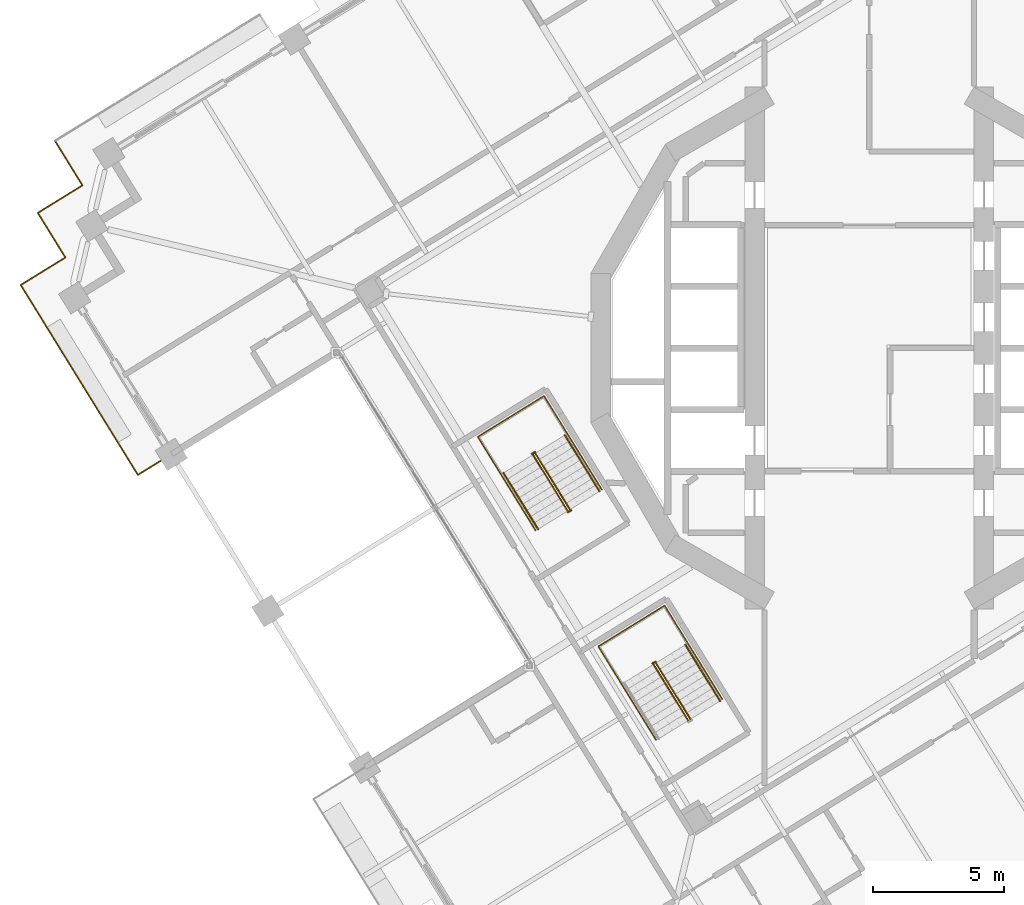
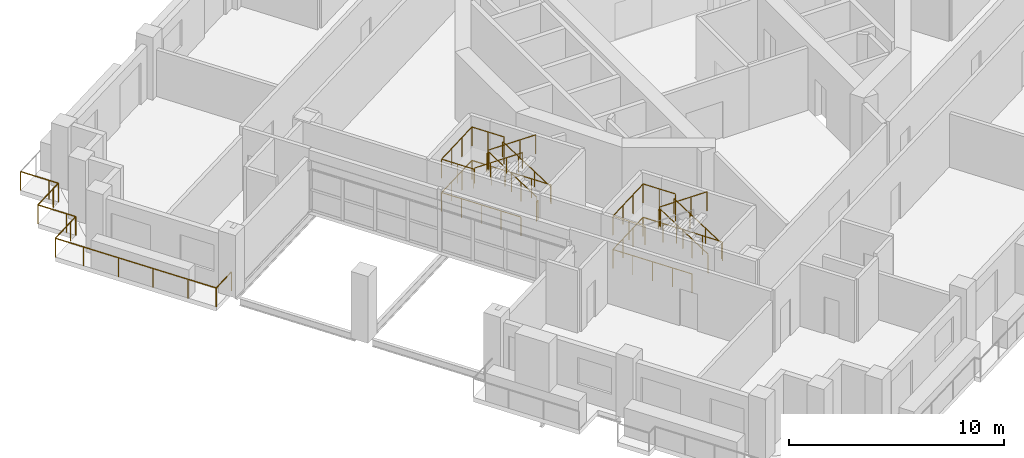
# One storey, part 14 of 20: 13 railings.
"""IFC4 building model written with IfcOpenShell, lengths in metres."""

from ifc_helpers import new_model, si_unit, direction, frame, origin, origin_2d, place, context, subcontext, project, spatial, circle, extrude, material, type_object, element, save


model = new_model("IFC4")

# Units and contexts
model_context = context("Model", 3, precision=1e-05, world=origin(), true_north=direction((0.0, 1.0)))
body_context = subcontext(model_context, "Body", "Model", "MODEL_VIEW")
ifc_project = project(units=[si_unit("LENGTHUNIT", "METRE"), si_unit("AREAUNIT", "SQUARE_METRE"), si_unit("VOLUMEUNIT", "CUBIC_METRE"), si_unit("PLANEANGLEUNIT", "RADIAN"), si_unit("MASSUNIT", "GRAM", prefix="KILO")], contexts=[model_context])

# Site, building, storey
site_placement = place(None, origin())
site = spatial("IfcSite", under=ifc_project, at=site_placement, CompositionType="ELEMENT")
building_placement = place(site_placement, origin())
building = spatial("IfcBuilding", under=site, at=building_placement, Name="Cantera Rosa Tower", CompositionType="ELEMENT")
storey_placement = place(building_placement, frame((0.0, 0.0, 151.39990234375)))
storey = spatial("IfcBuildingStorey", under=building, at=storey_placement, Name="L32", CompositionType="ELEMENT", Elevation=151.39990234375)

# Railings
ifc_material_1 = material(Name="Stainless steel and laminated glass", Category="steel")
railing_type_1 = type_object("IfcRailingType", Name="GUARD 1100", PredefinedType="BALUSTRADE", material=ifc_material_1)
railing_1_placement = place(storey_placement, frame((-26.65283203125, -4.067626953125, 0.0)))
element("IfcRailing", 1, at=railing_1_placement, inside=storey, type_object=railing_type_1, Name="GUARD L32-5", PredefinedType="BALUSTRADE", context=body_context, shape_type="SweptSolid", body=[
    extrude(circle(Radius=0.030029296875, at=origin_2d()), frame((0.0, 0.0, 1.070068359375), z_axis=(-0.851051697566, -0.525081906058, 0.0), x_axis=(0.525081906058, -0.851051697566, 0.0)), (0.0, 0.0, 1.0), 1.47998046875),
    extrude(circle(Radius=0.030029296875, at=origin_2d()), frame((-1.259521484375, -0.777099609375, 1.070068359375), z_axis=(-0.524986950369, 0.851110276017, 0.0), x_axis=(-0.851110276017, -0.524986950369, 0.0)), (0.0, 0.0, 1.0), 1.500244140625),
    extrude(circle(Radius=0.030029296875, at=origin_2d()), frame((-2.047119140625, 0.499755859375, 1.070068359375), z_axis=(-0.524968277683, 0.851121793533, 0.0), x_axis=(-0.851121793533, -0.524968277683, 0.0)), (0.0, 0.0, 1.0), 5.519775390625),
    extrude(circle(Radius=0.030029296875, at=origin_2d()), frame((-4.94482421875, 5.19775390625, 1.070068359375), z_axis=(-0.524986950369, 0.851110276017, 0.0), x_axis=(-0.851110276017, -0.524986950369, 0.0)), (0.0, 0.0, 1.0), 1.500244140625),
    extrude(circle(Radius=0.030029296875, at=origin_2d()), frame((-5.732421875, 6.474609375, 1.070068359375), z_axis=(0.85118298814, 0.524869051004, 0.0), x_axis=(-0.524869051004, 0.85118298814, 0.0)), (0.0, 0.0, 1.0), 1.5),
    extrude(circle(Radius=0.030029296875, at=origin_2d()), frame((-4.45556640625, 7.261962890625, 1.070068359375), z_axis=(0.851138143202, 0.52494176933, 0.0), x_axis=(-0.52494176933, 0.851138143202, 0.0)), (0.0, 0.0, 1.0), 0.5),
    extrude(circle(Radius=0.030029296875, at=origin_2d()), frame((-4.030029296875, 7.5244140625, 1.070068359375), z_axis=(-0.52494176933, 0.851138143202, 0.0), x_axis=(-0.851138143202, -0.52494176933, 0.0)), (0.0, 0.0, 1.0), 0.5),
    extrude(circle(Radius=0.030029296875, at=origin_2d()), frame((-4.29248046875, 7.949951171875, 1.070068359375), z_axis=(-0.524986950369, 0.851110276017, 0.0), x_axis=(-0.851110276017, -0.524986950369, 0.0)), (0.0, 0.0, 1.0), 1.500244140625),
    extrude(circle(Radius=0.030029296875, at=origin_2d()), frame((-5.080078125, 9.226806640625, 1.070068359375), z_axis=(0.851138143202, 0.52494176933, 0.0), x_axis=(-0.52494176933, 0.851138143202, 0.0)), (0.0, 0.0, 1.0), 1.5),
    extrude(circle(Radius=0.030029296875, at=origin_2d()), frame((-3.803466796875, 10.01416015625, 1.070068359375), z_axis=(0.851138143202, 0.52494176933, 0.0), x_axis=(-0.52494176933, 0.851138143202, 0.0)), (0.0, 0.0, 1.0), 0.5),
    extrude(circle(Radius=0.030029296875, at=origin_2d()), frame((-3.3779296875, 10.276611328125, 1.070068359375), z_axis=(-0.52494176933, 0.851138143202, 0.0), x_axis=(-0.851138143202, -0.52494176933, 0.0)), (0.0, 0.0, 1.0), 0.5),
    extrude(circle(Radius=0.030029296875, at=origin_2d()), frame((-3.640380859375, 10.7021484375, 1.070068359375), z_axis=(-0.524869051004, 0.85118298814, 0.0), x_axis=(-0.85118298814, -0.524869051004, 0.0)), (0.0, 0.0, 1.0), 1.5),
    extrude(circle(Radius=0.02490234375, at=origin_2d()), origin(), (0.0, 0.0, 1.0), 1.0400390625),
    extrude(circle(Radius=0.02490234375, at=origin_2d()), frame((-1.259521484375, -0.777099609375, 0.0)), (0.0, 0.0, 1.0), 1.0400390625),
    extrude(circle(Radius=0.02490234375, at=origin_2d()), frame((-2.047119140625, 0.499755859375, 0.0)), (0.0, 0.0, 1.0), 1.0400390625),
    extrude(circle(Radius=0.02490234375, at=origin_2d()), frame((-3.012939453125, 2.065673828125, 0.0)), (0.0, 0.0, 1.0), 1.0400390625),
    extrude(circle(Radius=0.02490234375, at=origin_2d()), frame((-3.97900390625, 3.6318359375, 0.0)), (0.0, 0.0, 1.0), 1.0400390625),
    extrude(circle(Radius=0.02490234375, at=origin_2d()), frame((-4.94482421875, 5.19775390625, 0.0)), (0.0, 0.0, 1.0), 1.0400390625),
    extrude(circle(Radius=0.02490234375, at=origin_2d()), frame((-5.732421875, 6.474609375, 0.0)), (0.0, 0.0, 1.0), 1.0400390625),
    extrude(circle(Radius=0.02490234375, at=origin_2d()), frame((-4.45556640625, 7.261962890625, 0.0)), (0.0, 0.0, 1.0), 1.0400390625),
    extrude(circle(Radius=0.02490234375, at=origin_2d()), frame((-4.030029296875, 7.5244140625, 0.0)), (0.0, 0.0, 1.0), 1.0400390625),
    extrude(circle(Radius=0.02490234375, at=origin_2d()), frame((-4.29248046875, 7.949951171875, 0.0)), (0.0, 0.0, 1.0), 1.0400390625),
    extrude(circle(Radius=0.02490234375, at=origin_2d()), frame((-5.080078125, 9.226806640625, 0.0)), (0.0, 0.0, 1.0), 1.0400390625),
    extrude(circle(Radius=0.02490234375, at=origin_2d()), frame((-3.803466796875, 10.01416015625, 0.0)), (0.0, 0.0, 1.0), 1.0400390625),
    extrude(circle(Radius=0.02490234375, at=origin_2d()), frame((-3.3779296875, 10.276611328125, 0.0)), (0.0, 0.0, 1.0), 1.0400390625),
    extrude(circle(Radius=0.02490234375, at=origin_2d()), frame((-3.640380859375, 10.7021484375, 0.0)), (0.0, 0.0, 1.0), 1.0400390625),
    extrude(circle(Radius=0.02490234375, at=origin_2d()), frame((-4.427734375, 11.97900390625, 0.0)), (0.0, 0.0, 1.0), 1.0400390625),
])
ifc_material_2 = material(Name="Steel S355J2 (EN 10025-2)", Category="steel")
railing_type_2 = type_object("IfcRailingType", Name="STAIR GUARD 1100", PredefinedType="GUARDRAIL", material=ifc_material_2)
railing_2_placement = place(storey_placement, frame((-11.42333984375, -6.165771484375, 0.190185546875)))
element("IfcRailing", 2, at=railing_2_placement, inside=storey, type_object=railing_type_2, Name="L32 ST-32 stair guard 1", PredefinedType="GUARDRAIL", context=body_context, shape_type="SweptSolid", body=[
    extrude(circle(Radius=0.02392578125, at=origin_2d()), frame((0.0, 0.0, 1.076171875), z_axis=(-0.434427613125, 0.704271375033, 0.561493080334), x_axis=(-0.851102330005, -0.524999832248, 0.0)), (0.0, 0.0, 1.0), 3.04541015625),
    extrude(circle(Radius=0.02392578125, at=origin_2d()), frame((-1.322998046875, 2.144775390625, 2.7861328125), z_axis=(-0.073711968402, 0.997279572494, 0.0), x_axis=(-0.997279572494, -0.073711968402, 0.0)), (0.0, 0.0, 1.0), 0.056396484375),
    extrude(circle(Radius=0.02392578125, at=origin_2d()), frame((-1.3271484375, 2.200927734375, 2.7861328125), z_axis=(-0.851546489876, -0.524279100842, 0.0), x_axis=(0.524279100842, -0.851546489876, 0.0)), (0.0, 0.0, 1.0), 0.14990234375),
    extrude(circle(Radius=0.02099609375, at=origin_2d()), origin(), (0.0, 0.0, 1.0), 1.052001953125),
    extrude(circle(Radius=0.02099609375, at=origin_2d()), frame((-0.44091796875, 0.71484375, 0.570068359375)), (0.0, 0.0, 1.0), 1.052001953125),
    extrude(circle(Radius=0.02099609375, at=origin_2d()), frame((-0.882080078125, 1.429931640625, 1.139892578125)), (0.0, 0.0, 1.0), 1.052001953125),
    extrude(circle(Radius=0.02099609375, at=origin_2d()), frame((-1.322998046875, 2.144775390625, 1.7099609375)), (0.0, 0.0, 1.0), 1.052001953125),
    extrude(circle(Radius=0.02099609375, at=origin_2d()), frame((-1.3271484375, 2.200927734375, 1.7099609375)), (0.0, 0.0, 1.0), 1.052001953125),
    extrude(circle(Radius=0.02099609375, at=origin_2d()), frame((-1.454833984375, 2.122314453125, 1.7099609375)), (0.0, 0.0, 1.0), 1.052001953125),
])
railing_3_placement = place(storey_placement, frame((-12.82958984375, -4.072509765625, 2.090087890625)))
element("IfcRailing", 3, at=railing_3_placement, inside=storey, type_object=railing_type_2, Name="L32 ST-32 stair guard 2", PredefinedType="GUARDRAIL", context=body_context, shape_type="SweptSolid", body=[
    extrude(circle(Radius=0.02392578125, at=origin_2d()), frame((0.0, 0.0, 1.076171875), z_axis=(0.434362572038, -0.70429590169, 0.561512634654), x_axis=(0.851145618652, 0.524929648476, 0.0)), (0.0, 0.0, 1.0), 3.045166015625),
    extrude(circle(Radius=0.02099609375, at=origin_2d()), origin(), (0.0, 0.0, 1.0), 1.052001953125),
    extrude(circle(Radius=0.02099609375, at=origin_2d()), frame((0.44091796875, -0.71484375, 0.570068359375)), (0.0, 0.0, 1.0), 1.052001953125),
    extrude(circle(Radius=0.02099609375, at=origin_2d()), frame((0.8818359375, -1.429931640625, 1.139892578125)), (0.0, 0.0, 1.0), 1.052001953125),
    extrude(circle(Radius=0.02099609375, at=origin_2d()), frame((1.32275390625, -2.144775390625, 1.7099609375)), (0.0, 0.0, 1.0), 1.052001953125),
])
railing_4_placement = place(storey_placement, frame((-11.375, -6.19482421875, 0.0)))
element("IfcRailing", 4, at=railing_4_placement, inside=storey, type_object=railing_type_2, Name="L32 ST-32 stair guard 3", PredefinedType="GUARDRAIL", context=body_context, shape_type="SweptSolid", body=[
    extrude(circle(Radius=0.02392578125, at=origin_2d()), frame((0.0, 0.0, 1.076171875), z_axis=(-0.851546489876, -0.524279100842, 0.0), x_axis=(0.524279100842, -0.851546489876, 0.0)), (0.0, 0.0, 1.0), 0.14990234375),
    extrude(circle(Radius=0.02099609375, at=origin_2d()), origin(), (0.0, 0.0, 1.0), 1.052001953125),
    extrude(circle(Radius=0.02099609375, at=origin_2d()), frame((-0.127685546875, -0.07861328125, 0.0)), (0.0, 0.0, 1.0), 1.052001953125),
])
railing_5_placement = place(storey_placement, frame((-10.20751953125, -5.40185546875, 0.0)))
element("IfcRailing", 5, at=railing_5_placement, inside=storey, type_object=railing_type_2, Name="L32 ST-32 stair guard 4", PredefinedType="GUARDRAIL", context=body_context, shape_type="SweptSolid", body=[
    extrude(circle(Radius=0.02392578125, at=origin_2d()), frame((0.0, 0.0, 1.076171875), z_axis=(-0.524976478809, 0.851116735059, 0.0), x_axis=(-0.851116735059, -0.524976478809, 0.0)), (0.0, 0.0, 1.0), 4.197998046875),
    extrude(circle(Radius=0.02392578125, at=origin_2d()), frame((-2.203857421875, 3.572998046875, 1.076171875), z_axis=(-0.851132917336, -0.524950242429, 0.0), x_axis=(0.524950242429, -0.851132917336, 0.0)), (0.0, 0.0, 1.0), 2.969970703125),
    extrude(circle(Radius=0.02392578125, at=origin_2d()), frame((-4.731689453125, 2.013916015625, 1.076171875), z_axis=(0.524976478809, -0.851116735059, 0.0), x_axis=(0.851116735059, 0.524976478809, 0.0)), (0.0, 0.0, 1.0), 4.197998046875),
    extrude(circle(Radius=0.02099609375, at=origin_2d()), origin(), (0.0, 0.0, 1.0), 1.052001953125),
    extrude(circle(Radius=0.02099609375, at=origin_2d()), frame((-0.551025390625, 0.893310546875, 0.0)), (0.0, 0.0, 1.0), 1.052001953125),
    extrude(circle(Radius=0.02099609375, at=origin_2d()), frame((-1.10205078125, 1.78662109375, 0.0)), (0.0, 0.0, 1.0), 1.052001953125),
    extrude(circle(Radius=0.02099609375, at=origin_2d()), frame((-1.65283203125, 2.6796875, 0.0)), (0.0, 0.0, 1.0), 1.052001953125),
    extrude(circle(Radius=0.02099609375, at=origin_2d()), frame((-2.203857421875, 3.572998046875, 0.0)), (0.0, 0.0, 1.0), 1.052001953125),
    extrude(circle(Radius=0.02099609375, at=origin_2d()), frame((-3.04638671875, 3.05322265625, 0.0)), (0.0, 0.0, 1.0), 1.052001953125),
    extrude(circle(Radius=0.02099609375, at=origin_2d()), frame((-3.88916015625, 2.53369140625, 0.0)), (0.0, 0.0, 1.0), 1.052001953125),
    extrude(circle(Radius=0.02099609375, at=origin_2d()), frame((-4.731689453125, 2.013916015625, 0.0)), (0.0, 0.0, 1.0), 1.052001953125),
    extrude(circle(Radius=0.02099609375, at=origin_2d()), frame((-4.1806640625, 1.12060546875, 0.0)), (0.0, 0.0, 1.0), 1.052001953125),
    extrude(circle(Radius=0.02099609375, at=origin_2d()), frame((-3.6298828125, 0.2275390625, 0.0)), (0.0, 0.0, 1.0), 1.052001953125),
    extrude(circle(Radius=0.02099609375, at=origin_2d()), frame((-3.078857421875, -0.665771484375, 0.0)), (0.0, 0.0, 1.0), 1.052001953125),
    extrude(circle(Radius=0.02099609375, at=origin_2d()), frame((-2.52783203125, -1.55908203125, 0.0)), (0.0, 0.0, 1.0), 1.052001953125),
])
railing_6_placement = place(storey_placement, frame((-11.517822265625, -3.27734375, 1.900146484375)))
element("IfcRailing", 6, at=railing_6_placement, inside=storey, type_object=railing_type_2, Name="L32 ST-32 stair guard 5", PredefinedType="GUARDRAIL", context=body_context, shape_type="SweptSolid", body=[
    extrude(circle(Radius=0.02392578125, at=origin_2d()), frame((0.0, 0.0, 1.076171875), z_axis=(-0.525025534833, 0.851086474909, 0.0), x_axis=(-0.851086474909, -0.525025534833, 0.0)), (0.0, 0.0, 1.0), 1.701904296875),
    extrude(circle(Radius=0.02392578125, at=origin_2d()), frame((-0.8935546875, 1.448486328125, 1.076171875), z_axis=(-0.851132917336, -0.524950242429, 0.0), x_axis=(0.524950242429, -0.851132917336, 0.0)), (0.0, 0.0, 1.0), 2.969970703125),
    extrude(circle(Radius=0.02392578125, at=origin_2d()), frame((-3.42138671875, -0.110595703125, 1.076171875), z_axis=(0.524961441845, -0.851126009811, 0.0), x_axis=(0.851126009811, 0.524961441845, 0.0)), (0.0, 0.0, 1.0), 1.7021484375),
    extrude(circle(Radius=0.02099609375, at=origin_2d()), origin(), (0.0, 0.0, 1.0), 1.052001953125),
    extrude(circle(Radius=0.02099609375, at=origin_2d()), frame((-0.44677734375, 0.72412109375, 0.0)), (0.0, 0.0, 1.0), 1.052001953125),
    extrude(circle(Radius=0.02099609375, at=origin_2d()), frame((-0.8935546875, 1.448486328125, 0.0)), (0.0, 0.0, 1.0), 1.052001953125),
    extrude(circle(Radius=0.02099609375, at=origin_2d()), frame((-1.736083984375, 0.9287109375, 0.0)), (0.0, 0.0, 1.0), 1.052001953125),
    extrude(circle(Radius=0.02099609375, at=origin_2d()), frame((-2.578857421875, 0.4091796875, 0.0)), (0.0, 0.0, 1.0), 1.052001953125),
    extrude(circle(Radius=0.02099609375, at=origin_2d()), frame((-3.42138671875, -0.110595703125, 0.0)), (0.0, 0.0, 1.0), 1.052001953125),
    extrude(circle(Radius=0.02099609375, at=origin_2d()), frame((-2.974609375, -0.8349609375, 0.0)), (0.0, 0.0, 1.0), 1.052001953125),
    extrude(circle(Radius=0.02099609375, at=origin_2d()), frame((-2.52783203125, -1.559326171875, 0.0)), (0.0, 0.0, 1.0), 1.052001953125),
])
railing_7_placement = place(storey_placement, frame((-6.8232421875, -14.165771484375, 0.190185546875)))
element("IfcRailing", 7, at=railing_7_placement, inside=storey, type_object=railing_type_2, Name="L32 ST-33 stair guard 1", PredefinedType="GUARDRAIL", context=body_context, shape_type="SweptSolid", body=[
    extrude(circle(Radius=0.02392578125, at=origin_2d()), frame((0.0, 0.0, 1.076171875), z_axis=(-0.434427613125, 0.704271375033, 0.561493080334), x_axis=(-0.851102330005, -0.524999832248, 0.0)), (0.0, 0.0, 1.0), 3.04541015625),
    extrude(circle(Radius=0.02392578125, at=origin_2d()), frame((-1.322998046875, 2.144775390625, 2.7861328125), z_axis=(-0.073711968402, 0.997279572494, 0.0), x_axis=(-0.997279572494, -0.073711968402, 0.0)), (0.0, 0.0, 1.0), 0.056396484375),
    extrude(circle(Radius=0.02392578125, at=origin_2d()), frame((-1.3271484375, 2.200927734375, 2.7861328125), z_axis=(-0.851546489876, -0.524279100842, 0.0), x_axis=(0.524279100842, -0.851546489876, 0.0)), (0.0, 0.0, 1.0), 0.14990234375),
    extrude(circle(Radius=0.02099609375, at=origin_2d()), origin(), (0.0, 0.0, 1.0), 1.052001953125),
    extrude(circle(Radius=0.02099609375, at=origin_2d()), frame((-0.44091796875, 0.71484375, 0.570068359375)), (0.0, 0.0, 1.0), 1.052001953125),
    extrude(circle(Radius=0.02099609375, at=origin_2d()), frame((-0.882080078125, 1.429931640625, 1.139892578125)), (0.0, 0.0, 1.0), 1.052001953125),
    extrude(circle(Radius=0.02099609375, at=origin_2d()), frame((-1.322998046875, 2.144775390625, 1.7099609375)), (0.0, 0.0, 1.0), 1.052001953125),
    extrude(circle(Radius=0.02099609375, at=origin_2d()), frame((-1.3271484375, 2.200927734375, 1.7099609375)), (0.0, 0.0, 1.0), 1.052001953125),
    extrude(circle(Radius=0.02099609375, at=origin_2d()), frame((-1.454833984375, 2.122314453125, 1.7099609375)), (0.0, 0.0, 1.0), 1.052001953125),
])
railing_8_placement = place(storey_placement, frame((-8.229736328125, -12.072509765625, 2.090087890625)))
element("IfcRailing", 8, at=railing_8_placement, inside=storey, type_object=railing_type_2, Name="L32 ST-33 stair guard 2", PredefinedType="GUARDRAIL", context=body_context, shape_type="SweptSolid", body=[
    extrude(circle(Radius=0.02392578125, at=origin_2d()), frame((0.0, 0.0, 1.076171875), z_axis=(0.434427613125, -0.704271375033, 0.561493080334), x_axis=(0.851102330005, 0.524999832248, 0.0)), (0.0, 0.0, 1.0), 3.04541015625),
    extrude(circle(Radius=0.02099609375, at=origin_2d()), origin(), (0.0, 0.0, 1.0), 1.052001953125),
    extrude(circle(Radius=0.02099609375, at=origin_2d()), frame((0.44091796875, -0.71484375, 0.570068359375)), (0.0, 0.0, 1.0), 1.052001953125),
    extrude(circle(Radius=0.02099609375, at=origin_2d()), frame((0.882080078125, -1.429931640625, 1.139892578125)), (0.0, 0.0, 1.0), 1.052001953125),
    extrude(circle(Radius=0.02099609375, at=origin_2d()), frame((1.322998046875, -2.144775390625, 1.7099609375)), (0.0, 0.0, 1.0), 1.052001953125),
])
railing_9_placement = place(storey_placement, frame((-5.607421875, -13.40185546875, 0.0)))
element("IfcRailing", 9, at=railing_9_placement, inside=storey, type_object=railing_type_2, Name="L32 ST-33 stair guard 4", PredefinedType="GUARDRAIL", context=body_context, shape_type="SweptSolid", body=[
    extrude(circle(Radius=0.02392578125, at=origin_2d()), frame((0.0, 0.0, 1.076171875), z_axis=(-0.524976478809, 0.851116735059, 0.0), x_axis=(-0.851116735059, -0.524976478809, 0.0)), (0.0, 0.0, 1.0), 4.197998046875),
    extrude(circle(Radius=0.02392578125, at=origin_2d()), frame((-2.203857421875, 3.572998046875, 1.076171875), z_axis=(-0.851132917336, -0.524950242429, 0.0), x_axis=(0.524950242429, -0.851132917336, 0.0)), (0.0, 0.0, 1.0), 2.969970703125),
    extrude(circle(Radius=0.02392578125, at=origin_2d()), frame((-4.731689453125, 2.013916015625, 1.076171875), z_axis=(0.524976478809, -0.851116735059, 0.0), x_axis=(0.851116735059, 0.524976478809, 0.0)), (0.0, 0.0, 1.0), 4.197998046875),
    extrude(circle(Radius=0.02099609375, at=origin_2d()), origin(), (0.0, 0.0, 1.0), 1.052001953125),
    extrude(circle(Radius=0.02099609375, at=origin_2d()), frame((-0.551025390625, 0.893310546875, 0.0)), (0.0, 0.0, 1.0), 1.052001953125),
    extrude(circle(Radius=0.02099609375, at=origin_2d()), frame((-1.10205078125, 1.78662109375, 0.0)), (0.0, 0.0, 1.0), 1.052001953125),
    extrude(circle(Radius=0.02099609375, at=origin_2d()), frame((-1.65283203125, 2.6796875, 0.0)), (0.0, 0.0, 1.0), 1.052001953125),
    extrude(circle(Radius=0.02099609375, at=origin_2d()), frame((-2.203857421875, 3.572998046875, 0.0)), (0.0, 0.0, 1.0), 1.052001953125),
    extrude(circle(Radius=0.02099609375, at=origin_2d()), frame((-3.04638671875, 3.05322265625, 0.0)), (0.0, 0.0, 1.0), 1.052001953125),
    extrude(circle(Radius=0.02099609375, at=origin_2d()), frame((-3.88916015625, 2.53369140625, 0.0)), (0.0, 0.0, 1.0), 1.052001953125),
    extrude(circle(Radius=0.02099609375, at=origin_2d()), frame((-4.731689453125, 2.013916015625, 0.0)), (0.0, 0.0, 1.0), 1.052001953125),
    extrude(circle(Radius=0.02099609375, at=origin_2d()), frame((-4.1806640625, 1.12060546875, 0.0)), (0.0, 0.0, 1.0), 1.052001953125),
    extrude(circle(Radius=0.02099609375, at=origin_2d()), frame((-3.6298828125, 0.2275390625, 0.0)), (0.0, 0.0, 1.0), 1.052001953125),
    extrude(circle(Radius=0.02099609375, at=origin_2d()), frame((-3.078857421875, -0.665771484375, 0.0)), (0.0, 0.0, 1.0), 1.052001953125),
    extrude(circle(Radius=0.02099609375, at=origin_2d()), frame((-2.52783203125, -1.55908203125, 0.0)), (0.0, 0.0, 1.0), 1.052001953125),
])
railing_10_placement = place(storey_placement, frame((-6.917724609375, -11.27734375, 1.900146484375)))
element("IfcRailing", 10, at=railing_10_placement, inside=storey, type_object=railing_type_2, Name="L32 ST-33 stair guard 5", PredefinedType="GUARDRAIL", context=body_context, shape_type="SweptSolid", body=[
    extrude(circle(Radius=0.02392578125, at=origin_2d()), frame((0.0, 0.0, 1.076171875), z_axis=(-0.525025534833, 0.851086474909, 0.0), x_axis=(-0.851086474909, -0.525025534833, 0.0)), (0.0, 0.0, 1.0), 1.701904296875),
    extrude(circle(Radius=0.02392578125, at=origin_2d()), frame((-0.8935546875, 1.448486328125, 1.076171875), z_axis=(-0.851132917336, -0.524950242429, 0.0), x_axis=(0.524950242429, -0.851132917336, 0.0)), (0.0, 0.0, 1.0), 2.969970703125),
    extrude(circle(Radius=0.02392578125, at=origin_2d()), frame((-3.42138671875, -0.110595703125, 1.076171875), z_axis=(0.524961441845, -0.851126009811, 0.0), x_axis=(0.851126009811, 0.524961441845, 0.0)), (0.0, 0.0, 1.0), 1.7021484375),
    extrude(circle(Radius=0.02099609375, at=origin_2d()), origin(), (0.0, 0.0, 1.0), 1.052001953125),
    extrude(circle(Radius=0.02099609375, at=origin_2d()), frame((-0.44677734375, 0.72412109375, 0.0)), (0.0, 0.0, 1.0), 1.052001953125),
    extrude(circle(Radius=0.02099609375, at=origin_2d()), frame((-0.8935546875, 1.448486328125, 0.0)), (0.0, 0.0, 1.0), 1.052001953125),
    extrude(circle(Radius=0.02099609375, at=origin_2d()), frame((-1.736083984375, 0.9287109375, 0.0)), (0.0, 0.0, 1.0), 1.052001953125),
    extrude(circle(Radius=0.02099609375, at=origin_2d()), frame((-2.578857421875, 0.4091796875, 0.0)), (0.0, 0.0, 1.0), 1.052001953125),
    extrude(circle(Radius=0.02099609375, at=origin_2d()), frame((-3.42138671875, -0.110595703125, 0.0)), (0.0, 0.0, 1.0), 1.052001953125),
    extrude(circle(Radius=0.02099609375, at=origin_2d()), frame((-2.974609375, -0.8349609375, 0.0)), (0.0, 0.0, 1.0), 1.052001953125),
    extrude(circle(Radius=0.02099609375, at=origin_2d()), frame((-2.52783203125, -1.559326171875, 0.0)), (0.0, 0.0, 1.0), 1.052001953125),
])
ifc_material_3 = material(Name="Steel S355J2 (EN 10025-2)", Category="steel")
railing_type_3 = type_object("IfcRailingType", Name="STAIR HANDRAIL 900", PredefinedType="HANDRAIL", material=ifc_material_3)
railing_11_placement = place(storey_placement, frame((-10.294677734375, -5.4697265625, 0.190185546875)))
element("IfcRailing", 11, at=railing_11_placement, inside=storey, type_object=railing_type_3, Name="L32 ST-32 stair handrail 1", PredefinedType="HANDRAIL", context=body_context, shape_type="SweptSolid", body=[
    extrude(circle(Radius=0.02392578125, at=origin_2d()), frame((0.0, 0.0, 0.8759765625), z_axis=(-0.434427613125, 0.704271375033, 0.561493080334), x_axis=(-0.851102330005, -0.524999832248, 0.0)), (0.0, 0.0, 1.0), 3.04541015625),
    extrude(circle(Radius=0.02099609375, at=origin_2d()), origin(), (0.0, 0.0, 1.0), 0.851806640625),
    extrude(circle(Radius=0.02099609375, at=origin_2d()), frame((-0.44091796875, 0.71484375, 0.570068359375)), (0.0, 0.0, 1.0), 0.851806640625),
    extrude(circle(Radius=0.02099609375, at=origin_2d()), frame((-0.882080078125, 1.429931640625, 1.139892578125)), (0.0, 0.0, 1.0), 0.851806640625),
    extrude(circle(Radius=0.02099609375, at=origin_2d()), frame((-1.322998046875, 2.144775390625, 1.7099609375)), (0.0, 0.0, 1.0), 0.851806640625),
])
railing_12_placement = place(storey_placement, frame((-13.958251953125, -4.7685546875, 2.090087890625)))
element("IfcRailing", 12, at=railing_12_placement, inside=storey, type_object=railing_type_3, Name="L32 ST-32 stair handrail 2", PredefinedType="HANDRAIL", context=body_context, shape_type="SweptSolid", body=[
    extrude(circle(Radius=0.02392578125, at=origin_2d()), frame((0.0, 0.0, 0.8759765625), z_axis=(0.434427613125, -0.704271375033, 0.561493080334), x_axis=(0.851102330005, 0.524999832248, 0.0)), (0.0, 0.0, 1.0), 3.04541015625),
    extrude(circle(Radius=0.02099609375, at=origin_2d()), origin(), (0.0, 0.0, 1.0), 0.851806640625),
    extrude(circle(Radius=0.02099609375, at=origin_2d()), frame((0.44091796875, -0.71484375, 0.570068359375)), (0.0, 0.0, 1.0), 0.851806640625),
    extrude(circle(Radius=0.02099609375, at=origin_2d()), frame((0.882080078125, -1.429931640625, 1.139892578125)), (0.0, 0.0, 1.0), 0.851806640625),
    extrude(circle(Radius=0.02099609375, at=origin_2d()), frame((1.322998046875, -2.144775390625, 1.7099609375)), (0.0, 0.0, 1.0), 0.851806640625),
])
railing_13_placement = place(storey_placement, frame((-5.69482421875, -13.4697265625, 0.190185546875)))
element("IfcRailing", 13, at=railing_13_placement, inside=storey, type_object=railing_type_3, Name="L32 ST-33 stair handrail 1", PredefinedType="HANDRAIL", context=body_context, shape_type="SweptSolid", body=[
    extrude(circle(Radius=0.02392578125, at=origin_2d()), frame((0.0, 0.0, 0.8759765625), z_axis=(-0.434362572038, 0.70429590169, 0.561512634654), x_axis=(-0.851145618652, -0.524929648476, 0.0)), (0.0, 0.0, 1.0), 3.045166015625),
    extrude(circle(Radius=0.02099609375, at=origin_2d()), origin(), (0.0, 0.0, 1.0), 0.851806640625),
    extrude(circle(Radius=0.02099609375, at=origin_2d()), frame((-0.44091796875, 0.71484375, 0.570068359375)), (0.0, 0.0, 1.0), 0.851806640625),
    extrude(circle(Radius=0.02099609375, at=origin_2d()), frame((-0.8818359375, 1.429931640625, 1.139892578125)), (0.0, 0.0, 1.0), 0.851806640625),
    extrude(circle(Radius=0.02099609375, at=origin_2d()), frame((-1.32275390625, 2.144775390625, 1.7099609375)), (0.0, 0.0, 1.0), 0.851806640625),
])

save(model, "model.ifc")
